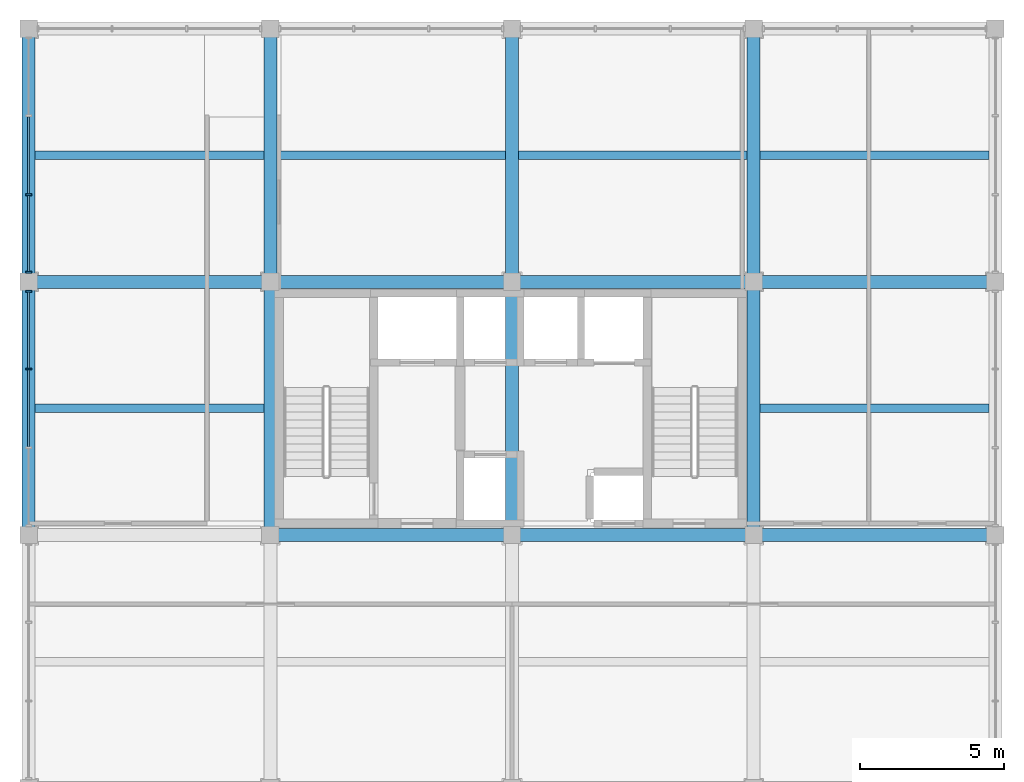
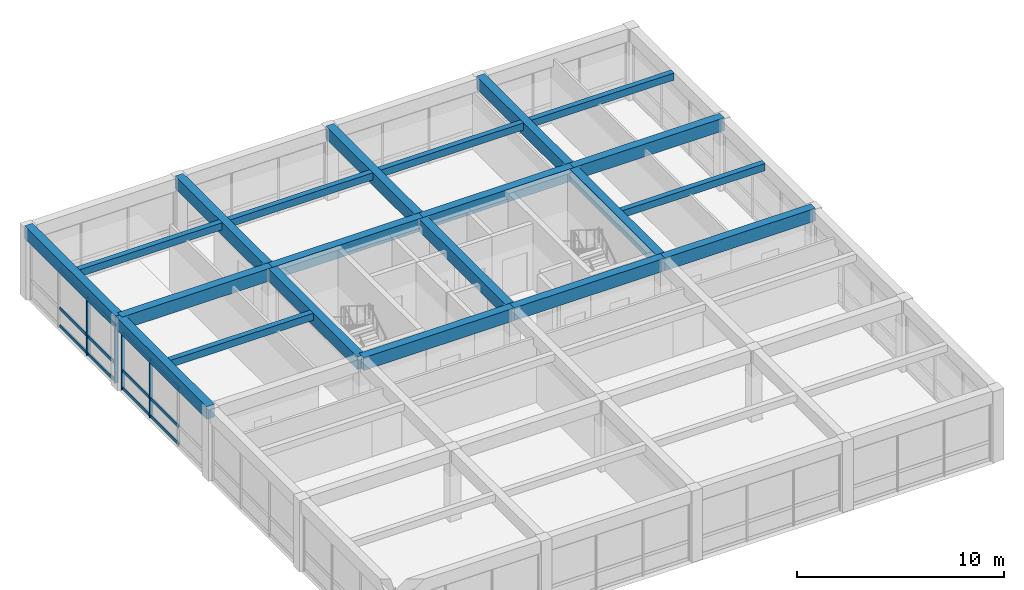
# One storey, part 4 of 14: 21 beams, 16 members, 2 elements without a shape of their own.
"""IFC4 building model written with IfcOpenShell, lengths in metres."""

from ifc_helpers import new_model, si_unit, direction, frame, origin, origin_2d, place, context, subcontext, project, spatial, rectangle, extrude, material, material_profile, profile_set, type_object, element, aggregate, save


model = new_model("IFC4")

# Units and contexts
model_context = context("Model", 3, precision=1e-05, world=origin(), true_north=direction((0.0, 1.0)))
body_context = subcontext(model_context, "Body", "Model", "MODEL_VIEW")
ifc_project = project(units=[si_unit("LENGTHUNIT", "METRE"), si_unit("AREAUNIT", "SQUARE_METRE"), si_unit("VOLUMEUNIT", "CUBIC_METRE"), si_unit("PLANEANGLEUNIT", "RADIAN"), si_unit("MASSUNIT", "GRAM", prefix="KILO")], contexts=[model_context])

# Site, building, storey
site_placement = place(None, origin())
site = spatial("IfcSite", under=ifc_project, at=site_placement, CompositionType="ELEMENT")
building_placement = place(site_placement, origin())
building = spatial("IfcBuilding", under=site, at=building_placement, Name="Kemercrest Conservatory and Botanical Centre", CompositionType="ELEMENT")
storey_placement = place(building_placement, frame((0.0, 0.0, 63.800048828125)))
storey = spatial("IfcBuildingStorey", under=building, at=storey_placement, Name="L16", CompositionType="ELEMENT", Elevation=63.800048828125)

# Beams
ifc_material_1 = material(Name="Concrete C40/50", Category="concrete")
ifc_material_profile_1 = material_profile(ifc_material_1, rectangle(XDim=0.449951171875, YDim=0.75, at=origin_2d()), Name="RC 450x750")
ifc_profile_set_1 = profile_set([ifc_material_profile_1], Name="Concrete C40/50")
beam_type_1 = type_object("IfcBeamType", Name="BM-RC75", PredefinedType="BEAM", material=ifc_profile_set_1)
beam_1_placement = place(storey_placement, frame((150.800048828125, 104.800048828125, 3.824951171875), z_axis=(1.0, 0.0, 0.0), x_axis=(0.0, 1.0, 0.0)))
element("IfcBeam", 1, at=beam_1_placement, inside=storey, type_object=beam_type_1, Name="V4-RF beam BM-RC75 M/18-19", PredefinedType="BEAM", context=body_context, shape_type="SweptSolid", body=[
    extrude(rectangle(XDim=0.449951171875, YDim=0.75, at=origin_2d()), origin(), (0.0, 0.0, 1.0), 8.39990234375),
])
beam_2_placement = place(storey_placement, frame((159.199951171875, 104.800048828125, 3.824951171875), z_axis=(1.0, 0.0, 0.0), x_axis=(0.0, 1.0, 0.0)))
element("IfcBeam", 2, at=beam_2_placement, inside=storey, type_object=beam_type_1, Name="V4-RF beam BM-RC75 M/19-20", PredefinedType="BEAM", context=body_context, shape_type="SweptSolid", body=[
    extrude(rectangle(XDim=0.449951171875, YDim=0.75, at=origin_2d()), origin(), (0.0, 0.0, 1.0), 8.400146484375),
])
beam_3_placement = place(storey_placement, frame((167.60009765625, 104.800048828125, 3.824951171875), z_axis=(1.0, 0.0, 0.0), x_axis=(0.0, 1.0, 0.0)))
element("IfcBeam", 3, at=beam_3_placement, inside=storey, type_object=beam_type_1, Name="V4-RF beam BM-RC75 M/20-21", PredefinedType="BEAM", context=body_context, shape_type="SweptSolid", body=[
    extrude(rectangle(XDim=0.449951171875, YDim=0.75, at=origin_2d()), origin(), (0.0, 0.0, 1.0), 8.39990234375),
])
beam_4_placement = place(storey_placement, frame((142.39990234375, 113.60009765625, 3.824951171875), z_axis=(1.0, 0.0, 0.0), x_axis=(0.0, 1.0, 0.0)))
element("IfcBeam", 4, at=beam_4_placement, inside=storey, type_object=beam_type_1, Name="V4-RF beam BM-RC75 N/17-18", PredefinedType="BEAM", context=body_context, shape_type="SweptSolid", body=[
    extrude(rectangle(XDim=0.449951171875, YDim=0.75, at=origin_2d()), origin(), (0.0, 0.0, 1.0), 8.400146484375),
])
beam_5_placement = place(storey_placement, frame((150.800048828125, 113.60009765625, 3.824951171875), z_axis=(1.0, 0.0, 0.0), x_axis=(0.0, 1.0, 0.0)))
element("IfcBeam", 5, at=beam_5_placement, inside=storey, type_object=beam_type_1, Name="V4-RF beam BM-RC75 N/18-19", PredefinedType="BEAM", context=body_context, shape_type="SweptSolid", body=[
    extrude(rectangle(XDim=0.449951171875, YDim=0.75, at=origin_2d()), origin(), (0.0, 0.0, 1.0), 8.39990234375),
])
beam_6_placement = place(storey_placement, frame((159.199951171875, 113.60009765625, 3.824951171875), z_axis=(1.0, 0.0, 0.0), x_axis=(0.0, 1.0, 0.0)))
element("IfcBeam", 6, at=beam_6_placement, inside=storey, type_object=beam_type_1, Name="V4-RF beam BM-RC75 N/19-20", PredefinedType="BEAM", context=body_context, shape_type="SweptSolid", body=[
    extrude(rectangle(XDim=0.449951171875, YDim=0.75, at=origin_2d()), origin(), (0.0, 0.0, 1.0), 8.400146484375),
])
beam_7_placement = place(storey_placement, frame((167.60009765625, 113.60009765625, 3.824951171875), z_axis=(1.0, 0.0, 0.0), x_axis=(0.0, 1.0, 0.0)))
element("IfcBeam", 7, at=beam_7_placement, inside=storey, type_object=beam_type_1, Name="V4-RF beam BM-RC75 N/20-21", PredefinedType="BEAM", context=body_context, shape_type="SweptSolid", body=[
    extrude(rectangle(XDim=0.449951171875, YDim=0.75, at=origin_2d()), origin(), (0.0, 0.0, 1.0), 8.39990234375),
])
beam_8_placement = place(storey_placement, frame((150.800048828125, 104.800048828125, 3.824951171875), z_axis=(0.0, 1.0, 0.0), x_axis=(-1.0, 0.0, 0.0)))
element("IfcBeam", 8, at=beam_8_placement, inside=storey, type_object=beam_type_1, Name="V4-RF beam BM-RC75 18/M-N", PredefinedType="BEAM", context=body_context, shape_type="SweptSolid", body=[
    extrude(rectangle(XDim=0.449951171875, YDim=0.75, at=origin_2d()), origin(), (0.0, 0.0, 1.0), 8.800048828125),
])
beam_9_placement = place(storey_placement, frame((150.800048828125, 113.60009765625, 3.824951171875), z_axis=(0.0, 1.0, 0.0), x_axis=(-1.0, 0.0, 0.0)))
element("IfcBeam", 9, at=beam_9_placement, inside=storey, type_object=beam_type_1, Name="V4-RF beam BM-RC75 18/N-P", PredefinedType="BEAM", context=body_context, shape_type="SweptSolid", body=[
    extrude(rectangle(XDim=0.449951171875, YDim=0.75, at=origin_2d()), origin(), (0.0, 0.0, 1.0), 8.7998046875),
])
beam_10_placement = place(storey_placement, frame((159.199951171875, 104.800048828125, 3.824951171875), z_axis=(0.0, 1.0, 0.0), x_axis=(-1.0, 0.0, 0.0)))
element("IfcBeam", 10, at=beam_10_placement, inside=storey, type_object=beam_type_1, Name="V4-RF beam BM-RC75 19/M-N", PredefinedType="BEAM", context=body_context, shape_type="SweptSolid", body=[
    extrude(rectangle(XDim=0.449951171875, YDim=0.75, at=origin_2d()), origin(), (0.0, 0.0, 1.0), 8.800048828125),
])
beam_11_placement = place(storey_placement, frame((159.199951171875, 113.60009765625, 3.824951171875), z_axis=(0.0, 1.0, 0.0), x_axis=(-1.0, 0.0, 0.0)))
element("IfcBeam", 11, at=beam_11_placement, inside=storey, type_object=beam_type_1, Name="V4-RF beam BM-RC75 19/N-P", PredefinedType="BEAM", context=body_context, shape_type="SweptSolid", body=[
    extrude(rectangle(XDim=0.449951171875, YDim=0.75, at=origin_2d()), origin(), (0.0, 0.0, 1.0), 8.7998046875),
])
beam_12_placement = place(storey_placement, frame((167.60009765625, 104.800048828125, 3.824951171875), z_axis=(0.0, 1.0, 0.0), x_axis=(-1.0, 0.0, 0.0)))
element("IfcBeam", 12, at=beam_12_placement, inside=storey, type_object=beam_type_1, Name="V4-RF beam BM-RC75 20/M-N", PredefinedType="BEAM", context=body_context, shape_type="SweptSolid", body=[
    extrude(rectangle(XDim=0.449951171875, YDim=0.75, at=origin_2d()), origin(), (0.0, 0.0, 1.0), 8.800048828125),
])
beam_13_placement = place(storey_placement, frame((167.60009765625, 113.60009765625, 3.824951171875), z_axis=(0.0, 1.0, 0.0), x_axis=(-1.0, 0.0, 0.0)))
element("IfcBeam", 13, at=beam_13_placement, inside=storey, type_object=beam_type_1, Name="V4-RF beam BM-RC75 20/N-P", PredefinedType="BEAM", context=body_context, shape_type="SweptSolid", body=[
    extrude(rectangle(XDim=0.449951171875, YDim=0.75, at=origin_2d()), origin(), (0.0, 0.0, 1.0), 8.7998046875),
])

# Curtain wall, members
ifc_material_2 = material(Name="Thermally broken aluminium and triple low-e glazing", Category="aluminium")
curtain_wall_type_1 = type_object("IfcCurtainWallType", Name="CW-24", PredefinedType="USERDEFINED", material=ifc_material_2)
curtain_wall_1_placement = place(storey_placement, origin())
curtain_wall_1 = element("IfcCurtainWall", 14, at=curtain_wall_1_placement, inside=storey, type_object=curtain_wall_type_1, Name="Unitised curtain wall CW-24 (CW:L16:V4-173)", ObjectType="UNITISED CURTAIN WALL", PredefinedType="USERDEFINED")
ifc_material_3 = material(Name="Thermally broken anodized aluminium 6063-T6", Category="aluminium")
ifc_material_profile_2 = material_profile(ifc_material_3, rectangle(XDim=0.199951171875, YDim=0.06494140625, at=origin_2d()), Name="AL MULLION 65x200")
ifc_profile_set_2 = profile_set([ifc_material_profile_2], Name="Thermally broken anodized aluminium 6063-T6")
member_type_1 = type_object("IfcMemberType", Name="CW-M200", PredefinedType="MULLION", material=ifc_profile_set_2)
member_1_placement = place(storey_placement, frame((142.39990234375, 116.631591796875, 0.0), z_axis=(0.0, 0.0, 1.0), x_axis=(1.0, 0.0, 0.0)))
member_1 = element("IfcMember", 15, at=member_1_placement, type_object=member_type_1, Name="CW-24 mullion 3", PredefinedType="MULLION", context=body_context, shape_type="SweptSolid", body=[
    extrude(rectangle(XDim=0.199951171875, YDim=0.06494140625, at=origin_2d()), origin(), (0.0, 0.0, 1.0), 3.454833984375),
])
member_2_placement = place(storey_placement, frame((142.39990234375, 113.927490234375, 0.0), z_axis=(0.0, 0.0, 1.0), x_axis=(1.0, 0.0, 0.0)))
member_2 = element("IfcMember", 16, at=member_2_placement, type_object=member_type_1, Name="CW-24 mullion 4", PredefinedType="MULLION", context=body_context, shape_type="SweptSolid", body=[
    extrude(rectangle(XDim=0.199951171875, YDim=0.06494140625, at=origin_2d()), origin(), (0.0, 0.0, 1.0), 3.454833984375),
])

curtain_wall_type_2 = type_object("IfcCurtainWallType", Name="CW-25", PredefinedType="USERDEFINED", material=ifc_material_2)
curtain_wall_2_placement = place(storey_placement, origin())
curtain_wall_2 = element("IfcCurtainWall", 17, at=curtain_wall_2_placement, inside=storey, type_object=curtain_wall_type_2, Name="Unitised curtain wall CW-25 (CW:L16:V4-174)", ObjectType="UNITISED CURTAIN WALL", PredefinedType="USERDEFINED")
member_3_placement = place(storey_placement, frame((142.39990234375, 113.2724609375, 0.0), z_axis=(0.0, 0.0, 1.0), x_axis=(1.0, 0.0, 0.0)))
member_3 = element("IfcMember", 18, at=member_3_placement, type_object=member_type_1, Name="CW-25 mullion 1", PredefinedType="MULLION", context=body_context, shape_type="SweptSolid", body=[
    extrude(rectangle(XDim=0.199951171875, YDim=0.06494140625, at=origin_2d()), origin(), (0.0, 0.0, 1.0), 3.454833984375),
])
member_4_placement = place(storey_placement, frame((142.39990234375, 110.568359375, 0.0), z_axis=(0.0, 0.0, 1.0), x_axis=(1.0, 0.0, 0.0)))
member_4 = element("IfcMember", 19, at=member_4_placement, type_object=member_type_1, Name="CW-25 mullion 2", PredefinedType="MULLION", context=body_context, shape_type="SweptSolid", body=[
    extrude(rectangle(XDim=0.199951171875, YDim=0.06494140625, at=origin_2d()), origin(), (0.0, 0.0, 1.0), 3.454833984375),
])

# Member
ifc_material_profile_3 = material_profile(ifc_material_3, rectangle(XDim=0.074951171875, YDim=0.179931640625, at=origin_2d()), Name="AL TRANSOM 75x180")
ifc_profile_set_3 = profile_set([ifc_material_profile_3], Name="Thermally broken anodized aluminium 6063-T6")
member_type_2 = type_object("IfcMemberType", Name="CW-T180", PredefinedType="USERDEFINED", material=ifc_profile_set_3)
member_5_placement = place(storey_placement, frame((142.39990234375, 119.3359375, 0.08984375), z_axis=(0.0, -1.0, 0.0), x_axis=(1.0, 0.0, 0.0)))
member_5 = element("IfcMember", 20, at=member_5_placement, type_object=member_type_2, Name="CW-24 transom 2.1", ObjectType="TRANSOM", PredefinedType="USERDEFINED", context=body_context, shape_type="SweptSolid", body=[
    extrude(rectangle(XDim=0.074951171875, YDim=0.179931640625, at=origin_2d()), origin(), (0.0, 0.0, 1.0), 2.671875),
])

member_6_placement = place(storey_placement, frame((142.39990234375, 119.3359375, 1.119873046875), z_axis=(0.0, -1.0, 0.0), x_axis=(1.0, 0.0, 0.0)))
member_6 = element("IfcMember", 21, at=member_6_placement, type_object=member_type_2, Name="CW-24 transom 2.2", ObjectType="TRANSOM", PredefinedType="USERDEFINED", context=body_context, shape_type="SweptSolid", body=[
    extrude(rectangle(XDim=0.074951171875, YDim=0.179931640625, at=origin_2d()), origin(), (0.0, 0.0, 1.0), 2.671875),
])

member_7_placement = place(storey_placement, frame((142.39990234375, 119.3359375, 3.364990234375), z_axis=(0.0, -1.0, 0.0), x_axis=(1.0, 0.0, 0.0)))
member_7 = element("IfcMember", 22, at=member_7_placement, type_object=member_type_2, Name="CW-24 transom 2.3", ObjectType="TRANSOM", PredefinedType="USERDEFINED", context=body_context, shape_type="SweptSolid", body=[
    extrude(rectangle(XDim=0.074951171875, YDim=0.179931640625, at=origin_2d()), origin(), (0.0, 0.0, 1.0), 2.671875),
])

member_8_placement = place(storey_placement, frame((142.39990234375, 116.59912109375, 0.08984375), z_axis=(0.0, -1.0, 0.0), x_axis=(1.0, 0.0, 0.0)))
member_8 = element("IfcMember", 23, at=member_8_placement, type_object=member_type_2, Name="CW-24 transom 3.1", ObjectType="TRANSOM", PredefinedType="USERDEFINED", context=body_context, shape_type="SweptSolid", body=[
    extrude(rectangle(XDim=0.074951171875, YDim=0.179931640625, at=origin_2d()), origin(), (0.0, 0.0, 1.0), 2.63916015625),
])

member_9_placement = place(storey_placement, frame((142.39990234375, 116.59912109375, 1.119873046875), z_axis=(0.0, -1.0, 0.0), x_axis=(1.0, 0.0, 0.0)))
member_9 = element("IfcMember", 24, at=member_9_placement, type_object=member_type_2, Name="CW-24 transom 3.2", ObjectType="TRANSOM", PredefinedType="USERDEFINED", context=body_context, shape_type="SweptSolid", body=[
    extrude(rectangle(XDim=0.074951171875, YDim=0.179931640625, at=origin_2d()), origin(), (0.0, 0.0, 1.0), 2.63916015625),
])

member_10_placement = place(storey_placement, frame((142.39990234375, 116.59912109375, 3.364990234375), z_axis=(0.0, -1.0, 0.0), x_axis=(1.0, 0.0, 0.0)))
member_10 = element("IfcMember", 25, at=member_10_placement, type_object=member_type_2, Name="CW-24 transom 3.3", ObjectType="TRANSOM", PredefinedType="USERDEFINED", context=body_context, shape_type="SweptSolid", body=[
    extrude(rectangle(XDim=0.074951171875, YDim=0.179931640625, at=origin_2d()), origin(), (0.0, 0.0, 1.0), 2.63916015625),
])

aggregate(curtain_wall_1, [member_1, member_2, member_5, member_6, member_7, member_8, member_9, member_10])

member_11_placement = place(storey_placement, frame((142.39990234375, 113.239990234375, 0.08984375), z_axis=(0.0, -1.0, 0.0), x_axis=(1.0, 0.0, 0.0)))
member_11 = element("IfcMember", 26, at=member_11_placement, type_object=member_type_2, Name="CW-25 transom 1.1", ObjectType="TRANSOM", PredefinedType="USERDEFINED", context=body_context, shape_type="SweptSolid", body=[
    extrude(rectangle(XDim=0.074951171875, YDim=0.179931640625, at=origin_2d()), origin(), (0.0, 0.0, 1.0), 2.63916015625),
])

member_12_placement = place(storey_placement, frame((142.39990234375, 113.239990234375, 1.119873046875), z_axis=(0.0, -1.0, 0.0), x_axis=(1.0, 0.0, 0.0)))
member_12 = element("IfcMember", 27, at=member_12_placement, type_object=member_type_2, Name="CW-25 transom 1.2", ObjectType="TRANSOM", PredefinedType="USERDEFINED", context=body_context, shape_type="SweptSolid", body=[
    extrude(rectangle(XDim=0.074951171875, YDim=0.179931640625, at=origin_2d()), origin(), (0.0, 0.0, 1.0), 2.63916015625),
])

member_13_placement = place(storey_placement, frame((142.39990234375, 113.239990234375, 3.364990234375), z_axis=(0.0, -1.0, 0.0), x_axis=(1.0, 0.0, 0.0)))
member_13 = element("IfcMember", 28, at=member_13_placement, type_object=member_type_2, Name="CW-25 transom 1.3", ObjectType="TRANSOM", PredefinedType="USERDEFINED", context=body_context, shape_type="SweptSolid", body=[
    extrude(rectangle(XDim=0.074951171875, YDim=0.179931640625, at=origin_2d()), origin(), (0.0, 0.0, 1.0), 2.63916015625),
])

member_14_placement = place(storey_placement, frame((142.39990234375, 110.535888671875, 0.08984375), z_axis=(0.0, -1.0, 0.0), x_axis=(1.0, 0.0, 0.0)))
member_14 = element("IfcMember", 29, at=member_14_placement, type_object=member_type_2, Name="CW-25 transom 2.1", ObjectType="TRANSOM", PredefinedType="USERDEFINED", context=body_context, shape_type="SweptSolid", body=[
    extrude(rectangle(XDim=0.074951171875, YDim=0.179931640625, at=origin_2d()), origin(), (0.0, 0.0, 1.0), 2.671630859375),
])

member_15_placement = place(storey_placement, frame((142.39990234375, 110.535888671875, 1.119873046875), z_axis=(0.0, -1.0, 0.0), x_axis=(1.0, 0.0, 0.0)))
member_15 = element("IfcMember", 30, at=member_15_placement, type_object=member_type_2, Name="CW-25 transom 2.2", ObjectType="TRANSOM", PredefinedType="USERDEFINED", context=body_context, shape_type="SweptSolid", body=[
    extrude(rectangle(XDim=0.074951171875, YDim=0.179931640625, at=origin_2d()), origin(), (0.0, 0.0, 1.0), 2.671630859375),
])

member_16_placement = place(storey_placement, frame((142.39990234375, 110.535888671875, 3.364990234375), z_axis=(0.0, -1.0, 0.0), x_axis=(1.0, 0.0, 0.0)))
member_16 = element("IfcMember", 31, at=member_16_placement, type_object=member_type_2, Name="CW-25 transom 2.3", ObjectType="TRANSOM", PredefinedType="USERDEFINED", context=body_context, shape_type="SweptSolid", body=[
    extrude(rectangle(XDim=0.074951171875, YDim=0.179931640625, at=origin_2d()), origin(), (0.0, 0.0, 1.0), 2.671630859375),
])

aggregate(curtain_wall_2, [member_3, member_4, member_11, member_12, member_13, member_14, member_15, member_16])

# Beams
ifc_material_profile_4 = material_profile(ifc_material_1, rectangle(XDim=0.300048828125, YDim=0.419921875, at=origin_2d()), Name="RC 300x420")
ifc_profile_set_4 = profile_set([ifc_material_profile_4], Name="Concrete C40/50")
beam_type_2 = type_object("IfcBeamType", Name="JS-RC42", PredefinedType="JOIST", material=ifc_profile_set_4)
for number, where, z_axis, x_axis, name in (
    (32, (142.625, 109.199951171875, 3.989990234375), (1.0, 0.0, 0.0), (0.0, 1.0, 0.0), "V4-RF secondary joist JS-RC42"),
    (33, (167.824951171875, 109.199951171875, 3.989990234375), (1.0, 0.0, 0.0), (0.0, 1.0, 0.0), "V4-RF secondary joist JS-RC42"),
    (34, (142.625, 118.0, 3.989990234375), (1.0, 0.0, 0.0), (0.0, 1.0, 0.0), "V4-RF secondary joist JS-RC42"),
):
    element("IfcBeam", number, at=place(storey_placement, frame(where, z_axis=z_axis, x_axis=x_axis)), inside=storey, type_object=beam_type_2, Name=name, PredefinedType="JOIST", context=body_context, shape_type="SweptSolid", body=[
        extrude(rectangle(XDim=0.300048828125, YDim=0.419921875, at=origin_2d()), origin(), (0.0, 0.0, 1.0), 7.949951171875),
    ])
beam_14_placement = place(storey_placement, frame((151.02490234375, 118.0, 3.989990234375), z_axis=(1.0, 0.0, 0.0), x_axis=(0.0, 1.0, 0.0)))
element("IfcBeam", 35, at=beam_14_placement, inside=storey, type_object=beam_type_2, Name="V4-RF secondary joist JS-RC42", PredefinedType="JOIST", context=body_context, shape_type="SweptSolid", body=[
    extrude(rectangle(XDim=0.300048828125, YDim=0.419921875, at=origin_2d()), origin(), (0.0, 0.0, 1.0), 7.9501953125),
])
for number, where, z_axis, x_axis, name in (
    (36, (159.425048828125, 118.0, 3.989990234375), (1.0, 0.0, 0.0), (0.0, 1.0, 0.0), "V4-RF secondary joist JS-RC42"),
    (37, (167.824951171875, 118.0, 3.989990234375), (1.0, 0.0, 0.0), (0.0, 1.0, 0.0), "V4-RF secondary joist JS-RC42"),
):
    element("IfcBeam", number, at=place(storey_placement, frame(where, z_axis=z_axis, x_axis=x_axis)), inside=storey, type_object=beam_type_2, Name=name, PredefinedType="JOIST", context=body_context, shape_type="SweptSolid", body=[
        extrude(rectangle(XDim=0.300048828125, YDim=0.419921875, at=origin_2d()), origin(), (0.0, 0.0, 1.0), 7.949951171875),
    ])
ifc_material_profile_5 = material_profile(ifc_material_1, rectangle(XDim=0.449951171875, YDim=0.75, at=origin_2d()), Name="RC 450x750")
ifc_profile_set_5 = profile_set([ifc_material_profile_5], Name="Concrete C40/50")
beam_type_3 = type_object("IfcBeamType", Name="SP-RC75", PredefinedType="SPANDREL", material=ifc_profile_set_5)
beam_15_placement = place(storey_placement, frame((142.39990234375, 104.800048828125, 3.824951171875), z_axis=(0.0, 1.0, 0.0), x_axis=(-1.0, 0.0, 0.0)))
element("IfcBeam", 38, at=beam_15_placement, inside=storey, type_object=beam_type_3, Name="V4-RF beam SP-RC75 17/M-N", PredefinedType="SPANDREL", context=body_context, shape_type="SweptSolid", body=[
    extrude(rectangle(XDim=0.449951171875, YDim=0.75, at=origin_2d()), origin(), (0.0, 0.0, 1.0), 8.800048828125),
])
beam_16_placement = place(storey_placement, frame((142.39990234375, 113.60009765625, 3.824951171875), z_axis=(0.0, 1.0, 0.0), x_axis=(-1.0, 0.0, 0.0)))
element("IfcBeam", 39, at=beam_16_placement, inside=storey, type_object=beam_type_3, Name="V4-RF beam SP-RC75 17/N-P", PredefinedType="SPANDREL", context=body_context, shape_type="SweptSolid", body=[
    extrude(rectangle(XDim=0.449951171875, YDim=0.75, at=origin_2d()), origin(), (0.0, 0.0, 1.0), 8.7998046875),
])

save(model, "model.ifc")
